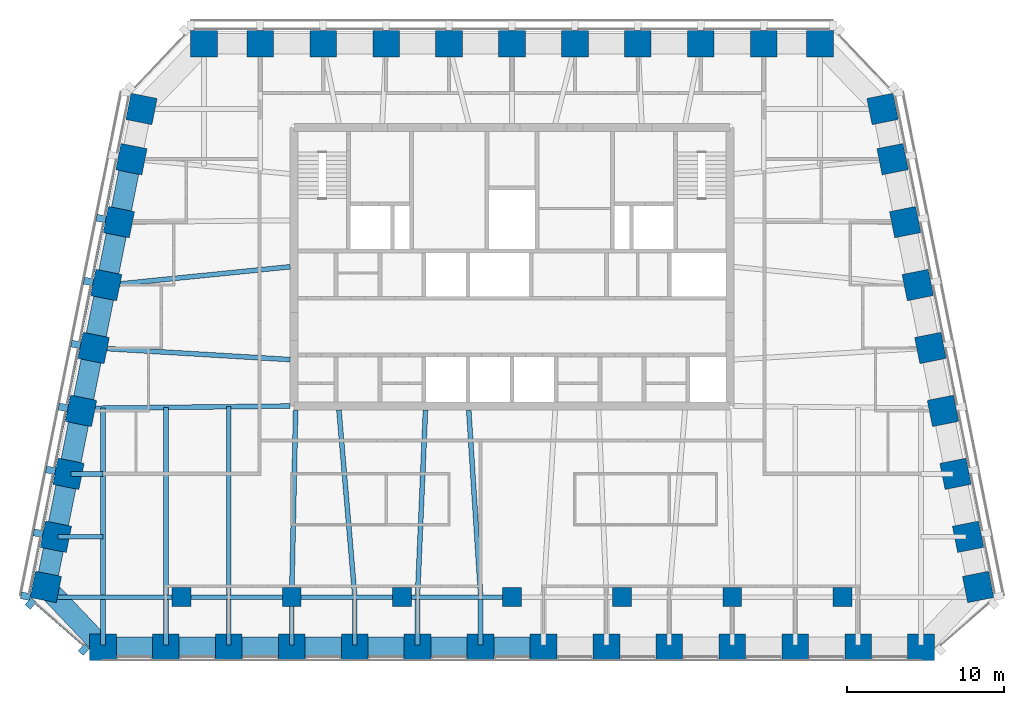
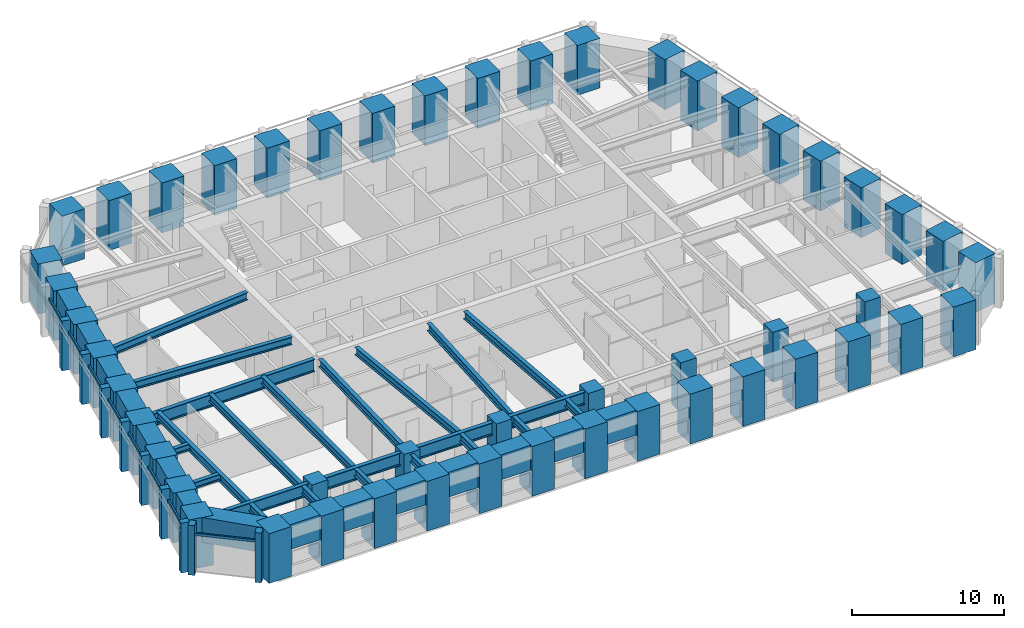
# One storey, part 1 of 11: 50 columns, 38 beams, 17 members, 2 elements without a shape of their own.
"""IFC4 building model written with IfcOpenShell, lengths in metres."""

from ifc_helpers import new_model, si_unit, direction, frame, origin, origin_2d, place, context, subcontext, project, spatial, rectangle, i_section, extrude, material, material_profile, profile_set, type_object, element, aggregate, save


model = new_model("IFC4")

# Units and contexts
model_context = context("Model", 3, precision=1e-05, world=origin(), true_north=direction((0.0, 1.0)))
body_context = subcontext(model_context, "Body", "Model", "MODEL_VIEW")
ifc_project = project(units=[si_unit("LENGTHUNIT", "METRE"), si_unit("AREAUNIT", "SQUARE_METRE"), si_unit("VOLUMEUNIT", "CUBIC_METRE"), si_unit("PLANEANGLEUNIT", "RADIAN"), si_unit("MASSUNIT", "GRAM", prefix="KILO")], contexts=[model_context])

# Site, building, storey
site_placement = place(None, origin())
site = spatial("IfcSite", under=ifc_project, at=site_placement, CompositionType="ELEMENT")
building_placement = place(site_placement, origin())
building = spatial("IfcBuilding", under=site, at=building_placement, Name="Isbrekke Arena Tower", CompositionType="ELEMENT")
storey_placement = place(building_placement, frame((0.0, 0.0, 276.0)))
storey = spatial("IfcBuildingStorey", under=building, at=storey_placement, Name="L64", CompositionType="ELEMENT", Elevation=276.0)

# Columns
ifc_material_1 = material(Name="Concrete B55 (C55/67)", Category="concrete")
ifc_material_profile_1 = material_profile(ifc_material_1, rectangle(XDim=1.199951171875, YDim=1.199951171875, at=origin_2d()), Name="RC 1200x1200")
ifc_profile_set_1 = profile_set([ifc_material_profile_1], Name="Concrete B55 (C55/67)")
column_type_1 = type_object("IfcColumnType", Name="C14 RC 1200 x 1200", PredefinedType="COLUMN", material=ifc_profile_set_1)
for number, where, z_axis, x_axis, name in (
    (1, (-21.0, -6.0, 0.0), (0.0, 0.0, 1.0), (1.0, 0.0, 0.0), "C14 I01"),
    (2, (-14.0, -6.0, 0.0), (0.0, 0.0, 1.0), (1.0, 0.0, 0.0), "C14 I02"),
    (3, (-7.0, -6.0, 0.0), (0.0, 0.0, 1.0), (1.0, 0.0, 0.0), "C14 I03"),
    (4, (0.0, -6.0, 0.0), (0.0, 0.0, 1.0), (1.0, 0.0, 0.0), "C14 I04"),
    (5, (7.0, -6.0, 0.0), (0.0, 0.0, 1.0), (1.0, 0.0, 0.0), "C14 I05"),
    (6, (14.0, -6.0, 0.0), (0.0, 0.0, 1.0), (1.0, 0.0, 0.0), "C14 I06"),
    (7, (21.0, -6.0, 0.0), (0.0, 0.0, 1.0), (1.0, 0.0, 0.0), "C14 I07"),
):
    element("IfcColumn", number, at=place(storey_placement, frame(where, z_axis=z_axis, x_axis=x_axis)), inside=storey, type_object=column_type_1, Name=name, PredefinedType="COLUMN", context=body_context, shape_type="SweptSolid", body=[
        extrude(rectangle(XDim=1.199951171875, YDim=1.199951171875, at=origin_2d()), origin(), (0.0, 0.0, 1.0), 4.0),
    ])
ifc_material_2 = material(Name="Concrete B55 (C55/67)", Category="concrete")
ifc_material_profile_2 = material_profile(ifc_material_2, rectangle(XDim=1.699951171875, YDim=1.699951171875, at=origin_2d()), Name="RC 1700x1700")
ifc_profile_set_2 = profile_set([ifc_material_profile_2], Name="Concrete B55 (C55/67)")
column_type_2 = type_object("IfcColumnType", Name="C5 RC 1700 x 1700", PredefinedType="COLUMN", material=ifc_profile_set_2)
for number, where, z_axis, x_axis, name in (
    (8, (-26.0, -9.175048828125, 0.0), (0.0, 0.0, 1.0), (1.0, 0.0, 0.0), "C5 S01"),
    (9, (-22.0, -9.175048828125, 0.0), (0.0, 0.0, 1.0), (1.0, 0.0, 0.0), "C5 S02"),
    (10, (-18.0, -9.175048828125, 0.0), (0.0, 0.0, 1.0), (1.0, 0.0, 0.0), "C5 S03"),
    (11, (-14.0, -9.175048828125, 0.0), (0.0, 0.0, 1.0), (1.0, 0.0, 0.0), "C5 S04"),
    (12, (-10.0, -9.175048828125, 0.0), (0.0, 0.0, 1.0), (1.0, 0.0, 0.0), "C5 S05"),
    (13, (-6.0, -9.175048828125, 0.0), (0.0, 0.0, 1.0), (1.0, 0.0, 0.0), "C5 S06"),
    (14, (-2.0, -9.175048828125, 0.0), (0.0, 0.0, 1.0), (1.0, 0.0, 0.0), "C5 S07"),
    (15, (2.0, -9.175048828125, 0.0), (0.0, 0.0, 1.0), (1.0, 0.0, 0.0), "C5 S08"),
    (16, (6.0, -9.175048828125, 0.0), (0.0, 0.0, 1.0), (1.0, 0.0, 0.0), "C5 S09"),
    (17, (10.0, -9.175048828125, 0.0), (0.0, 0.0, 1.0), (1.0, 0.0, 0.0), "C5 S10"),
    (18, (14.0, -9.175048828125, 0.0), (0.0, 0.0, 1.0), (1.0, 0.0, 0.0), "C5 S11"),
    (19, (18.0, -9.175048828125, 0.0), (0.0, 0.0, 1.0), (1.0, 0.0, 0.0), "C5 S12"),
    (20, (22.0, -9.175048828125, 0.0), (0.0, 0.0, 1.0), (1.0, 0.0, 0.0), "C5 S13"),
    (21, (26.0, -9.175048828125, 0.0), (0.0, 0.0, 1.0), (1.0, 0.0, 0.0), "C5 S14"),
    (22, (29.629150390625, -5.352783203125, 0.0), (0.0, 0.0, 1.0), (-0.196116135138, 0.980580675691, 0.0), "C5 E01"),
    (23, (28.990966796875, -2.161865234375, 0.0), (0.0, 0.0, 1.0), (-0.196116135138, 0.980580675691, 0.0), "C5 E02"),
    (24, (28.19091796875, 1.838134765625, 0.0), (0.0, 0.0, 1.0), (-0.196116135138, 0.980580675691, 0.0), "C5 E03"),
    (25, (27.39111328125, 5.838134765625, 0.0), (0.0, 0.0, 1.0), (-0.196116135138, 0.980580675691, 0.0), "C5 E04"),
    (26, (26.591064453125, 9.838134765625, 0.0), (0.0, 0.0, 1.0), (-0.196116135138, 0.980580675691, 0.0), "C5 E05"),
    (27, (25.791015625, 13.838134765625, 0.0), (0.0, 0.0, 1.0), (-0.196116135138, 0.980580675691, 0.0), "C5 E06"),
    (28, (24.990966796875, 17.838134765625, 0.0), (0.0, 0.0, 1.0), (-0.196116135138, 0.980580675691, 0.0), "C5 E07"),
    (29, (24.19091796875, 21.838134765625, 0.0), (0.0, 0.0, 1.0), (-0.196116135138, 0.980580675691, 0.0), "C5 E08"),
    (30, (23.552734375, 25.029296875, 0.0), (0.0, 0.0, 1.0), (-0.196116135138, 0.980580675691, 0.0), "C5 E09"),
    (31, (19.574951171875, 29.175048828125, 0.0), (0.0, 0.0, 1.0), (-1.0, 0.0, 0.0), "C5 N01"),
    (32, (16.0, 29.175048828125, 0.0), (0.0, 0.0, 1.0), (-1.0, 0.0, 0.0), "C5 N02"),
    (33, (12.0, 29.175048828125, 0.0), (0.0, 0.0, 1.0), (-1.0, 0.0, 0.0), "C5 N03"),
    (34, (8.0, 29.175048828125, 0.0), (0.0, 0.0, 1.0), (-1.0, 0.0, 0.0), "C5 N04"),
    (35, (4.0, 29.175048828125, 0.0), (0.0, 0.0, 1.0), (-1.0, 0.0, 0.0), "C5 N05"),
    (36, (0.0, 29.175048828125, 0.0), (0.0, 0.0, 1.0), (-1.0, 0.0, 0.0), "C5 N06"),
    (37, (-4.0, 29.175048828125, 0.0), (0.0, 0.0, 1.0), (-1.0, 0.0, 0.0), "C5 N07"),
    (38, (-8.0, 29.175048828125, 0.0), (0.0, 0.0, 1.0), (-1.0, 0.0, 0.0), "C5 N08"),
    (39, (-12.0, 29.175048828125, 0.0), (0.0, 0.0, 1.0), (-1.0, 0.0, 0.0), "C5 N09"),
    (40, (-16.0, 29.175048828125, 0.0), (0.0, 0.0, 1.0), (-1.0, 0.0, 0.0), "C5 N10"),
    (41, (-19.574951171875, 29.175048828125, 0.0), (0.0, 0.0, 1.0), (-1.0, 0.0, 0.0), "C5 N11"),
    (42, (-23.552734375, 25.029296875, 0.0), (0.0, 0.0, 1.0), (-0.196116135138, -0.980580675691, 0.0), "C5 W01"),
    (43, (-24.19091796875, 21.838134765625, 0.0), (0.0, 0.0, 1.0), (-0.196116135138, -0.980580675691, 0.0), "C5 W02"),
    (44, (-24.990966796875, 17.838134765625, 0.0), (0.0, 0.0, 1.0), (-0.196116135138, -0.980580675691, 0.0), "C5 W03"),
    (45, (-25.791015625, 13.838134765625, 0.0), (0.0, 0.0, 1.0), (-0.196116135138, -0.980580675691, 0.0), "C5 W04"),
    (46, (-26.591064453125, 9.838134765625, 0.0), (0.0, 0.0, 1.0), (-0.196116135138, -0.980580675691, 0.0), "C5 W05"),
    (47, (-27.39111328125, 5.838134765625, 0.0), (0.0, 0.0, 1.0), (-0.196116135138, -0.980580675691, 0.0), "C5 W06"),
    (48, (-28.19091796875, 1.838134765625, 0.0), (0.0, 0.0, 1.0), (-0.196116135138, -0.980580675691, 0.0), "C5 W07"),
    (49, (-28.990966796875, -2.161865234375, 0.0), (0.0, 0.0, 1.0), (-0.196116135138, -0.980580675691, 0.0), "C5 W08"),
    (50, (-29.629150390625, -5.352783203125, 0.0), (0.0, 0.0, 1.0), (-0.196116135138, -0.980580675691, 0.0), "C5 W09"),
):
    element("IfcColumn", number, at=place(storey_placement, frame(where, z_axis=z_axis, x_axis=x_axis)), inside=storey, type_object=column_type_2, Name=name, PredefinedType="COLUMN", context=body_context, shape_type="SweptSolid", body=[
        extrude(rectangle(XDim=1.699951171875, YDim=1.699951171875, at=origin_2d()), origin(), (0.0, 0.0, 1.0), 4.0),
    ])

# Beams
ifc_material_3 = material(Name="Steel S355", Category="steel")
ifc_material_profile_3 = material_profile(ifc_material_3, i_section(OverallWidth=0.304931640625, OverallDepth=0.6201171875, WebThickness=0.02099609375, FlangeThickness=0.0400390625, FilletRadius=0.027099609375, at=origin_2d()), Name="HEM 600")
ifc_profile_set_3 = profile_set([ifc_material_profile_3], Name="Steel S355")
beam_type_1 = type_object("IfcBeamType", Name="B4 HEM 600", PredefinedType="BEAM", material=ifc_profile_set_3)
for number, where, z_axis, x_axis, name in (
    (51, (-26.0, -9.02490234375, 3.5400390625), (0.0, 1.0, 0.0), (-1.0, 0.0, 0.0), "B4 beam S-S01 L64"),
    (52, (-22.0, -9.02490234375, 3.5400390625), (0.0, 1.0, 0.0), (-1.0, 0.0, 0.0), "B4 beam S-S02 L64"),
    (53, (-18.0, -9.02490234375, 3.5400390625), (0.0, 1.0, 0.0), (-1.0, 0.0, 0.0), "B4 beam S-S03 L64"),
):
    element("IfcBeam", number, at=place(storey_placement, frame(where, z_axis=z_axis, x_axis=x_axis)), inside=storey, type_object=beam_type_1, Name=name, PredefinedType="BEAM", context=body_context, shape_type="SweptSolid", body=[
        extrude(i_section(OverallWidth=0.304931640625, OverallDepth=0.6201171875, WebThickness=0.02099609375, FlangeThickness=0.0400390625, FilletRadius=0.027099609375, at=origin_2d()), origin(), (0.0, 0.0, 1.0), 2.8740234375),
    ])
beam_1_placement = place(storey_placement, frame((-14.0, -9.02490234375, 3.5400390625), z_axis=(0.0, 1.0, 0.0), x_axis=(-1.0, 0.0, 0.0)))
element("IfcBeam", 54, at=beam_1_placement, inside=storey, type_object=beam_type_1, Name="B4 beam S-S04 L64", PredefinedType="BEAM", context=body_context, shape_type="SweptSolid", body=[
    extrude(i_section(OverallWidth=0.304931640625, OverallDepth=0.6201171875, WebThickness=0.02099609375, FlangeThickness=0.0400390625, FilletRadius=0.027099609375, at=origin_2d()), origin(), (0.0, 0.0, 1.0), 2.875),
])
for number, where, z_axis, x_axis, name in (
    (55, (-10.0, -9.02490234375, 3.5400390625), (0.0, 1.0, 0.0), (-1.0, 0.0, 0.0), "B4 beam S-S05 L64"),
    (56, (-6.0, -9.02490234375, 3.5400390625), (0.0, 1.0, 0.0), (-1.0, 0.0, 0.0), "B4 beam S-S06 L64"),
    (57, (-2.0, -9.02490234375, 3.5400390625), (0.0, 1.0, 0.0), (-1.0, 0.0, 0.0), "B4 beam S-S07 L64"),
):
    element("IfcBeam", number, at=place(storey_placement, frame(where, z_axis=z_axis, x_axis=x_axis)), inside=storey, type_object=beam_type_1, Name=name, PredefinedType="BEAM", context=body_context, shape_type="SweptSolid", body=[
        extrude(i_section(OverallWidth=0.304931640625, OverallDepth=0.6201171875, WebThickness=0.02099609375, FlangeThickness=0.0400390625, FilletRadius=0.027099609375, at=origin_2d()), origin(), (0.0, 0.0, 1.0), 2.8740234375),
    ])
beam_2_placement = place(storey_placement, frame((-26.0, -5.84912109375, 3.5400390625), z_axis=(0.0, 1.0, 0.0), x_axis=(-1.0, 0.0, 0.0)))
element("IfcBeam", 58, at=beam_2_placement, inside=storey, type_object=beam_type_1, Name="B4 beam C-M01 L64", PredefinedType="BEAM", context=body_context, shape_type="SweptSolid", body=[
    extrude(i_section(OverallWidth=0.304931640625, OverallDepth=0.6201171875, WebThickness=0.02099609375, FlangeThickness=0.0400390625, FilletRadius=0.027099609375, at=origin_2d()), origin(), (0.0, 0.0, 1.0), 11.86474609375),
])
beam_3_placement = place(storey_placement, frame((-22.0, -5.84912109375, 3.5400390625), z_axis=(0.0, 1.0, 0.0), x_axis=(-1.0, 0.0, 0.0)))
element("IfcBeam", 59, at=beam_3_placement, inside=storey, type_object=beam_type_1, Name="B4 beam C-M02 L64", PredefinedType="BEAM", context=body_context, shape_type="SweptSolid", body=[
    extrude(i_section(OverallWidth=0.304931640625, OverallDepth=0.6201171875, WebThickness=0.02099609375, FlangeThickness=0.0400390625, FilletRadius=0.027099609375, at=origin_2d()), origin(), (0.0, 0.0, 1.0), 11.909912109375),
])
beam_4_placement = place(storey_placement, frame((-18.0, -5.84912109375, 3.5400390625), z_axis=(0.0, 1.0, 0.0), x_axis=(-1.0, 0.0, 0.0)))
element("IfcBeam", 60, at=beam_4_placement, inside=storey, type_object=beam_type_1, Name="B4 beam C-M03 L64", PredefinedType="BEAM", context=body_context, shape_type="SweptSolid", body=[
    extrude(i_section(OverallWidth=0.304931640625, OverallDepth=0.6201171875, WebThickness=0.02099609375, FlangeThickness=0.0400390625, FilletRadius=0.027099609375, at=origin_2d()), origin(), (0.0, 0.0, 1.0), 11.955078125),
])
beam_5_placement = place(storey_placement, frame((-14.0, -5.8466796875, 3.5400390625), z_axis=(0.021277968258, 0.999773598405, 0.0), x_axis=(-0.999773598405, 0.021277968258, 0.0)))
element("IfcBeam", 61, at=beam_5_placement, inside=storey, type_object=beam_type_1, Name="B4 beam C-M04 L64", PredefinedType="BEAM", context=body_context, shape_type="SweptSolid", body=[
    extrude(i_section(OverallWidth=0.304931640625, OverallDepth=0.6201171875, WebThickness=0.02099609375, FlangeThickness=0.0400390625, FilletRadius=0.027099609375, at=origin_2d()), origin(), (0.0, 0.0, 1.0), 11.749267578125),
])
beam_6_placement = place(storey_placement, frame((-10.0009765625, -5.836181640625, 3.5400390625), z_axis=(-0.084817344046, 0.996396516528, 0.0), x_axis=(-0.996396516528, -0.084817344046, 0.0)))
element("IfcBeam", 62, at=beam_6_placement, inside=storey, type_object=beam_type_1, Name="B4 beam C-M05 L64", PredefinedType="BEAM", context=body_context, shape_type="SweptSolid", body=[
    extrude(i_section(OverallWidth=0.304931640625, OverallDepth=0.6201171875, WebThickness=0.02099609375, FlangeThickness=0.0400390625, FilletRadius=0.027099609375, at=origin_2d()), origin(), (0.0, 0.0, 1.0), 11.778564453125),
])
beam_7_placement = place(storey_placement, frame((-5.999755859375, -5.842529296875, 3.5400390625), z_axis=(0.042521334166, 0.999095559064, 0.0), x_axis=(-0.999095559064, 0.042521334166, 0.0)))
element("IfcBeam", 63, at=beam_7_placement, inside=storey, type_object=beam_type_1, Name="B4 beam C-M06 L64", PredefinedType="BEAM", context=body_context, shape_type="SweptSolid", body=[
    extrude(i_section(OverallWidth=0.304931640625, OverallDepth=0.6201171875, WebThickness=0.02099609375, FlangeThickness=0.0400390625, FilletRadius=0.027099609375, at=origin_2d()), origin(), (0.0, 0.0, 1.0), 11.753173828125),
])
beam_8_placement = place(storey_placement, frame((-2.000732421875, -5.83935546875, 3.5400390625), z_axis=(-0.063696196046, 0.997969335506, 0.0), x_axis=(-0.997969335506, -0.063696196046, 0.0)))
element("IfcBeam", 64, at=beam_8_placement, inside=storey, type_object=beam_type_1, Name="B4 beam C-M07 L64", PredefinedType="BEAM", context=body_context, shape_type="SweptSolid", body=[
    extrude(i_section(OverallWidth=0.304931640625, OverallDepth=0.6201171875, WebThickness=0.02099609375, FlangeThickness=0.0400390625, FilletRadius=0.027099609375, at=origin_2d()), origin(), (0.0, 0.0, 1.0), 11.76318359375),
])
beam_9_placement = place(storey_placement, frame((-25.625732421875, 13.83984375, 3.5400390625), z_axis=(0.994972081505, 0.100152668587, 0.0), x_axis=(-0.100152668587, 0.994972081505, 0.0)))
element("IfcBeam", 65, at=beam_9_placement, inside=storey, type_object=beam_type_1, Name="B4 beam E-W04 L64", PredefinedType="BEAM", context=body_context, shape_type="SweptSolid", body=[
    extrude(i_section(OverallWidth=0.304931640625, OverallDepth=0.6201171875, WebThickness=0.02099609375, FlangeThickness=0.0400390625, FilletRadius=0.027099609375, at=origin_2d()), origin(), (0.0, 0.0, 1.0), 11.583984375),
])
beam_10_placement = place(storey_placement, frame((-26.431884765625, 9.837646484375, 3.5400390625), z_axis=(0.998216240514, -0.059702070095, 0.0), x_axis=(0.059702070095, 0.998216240514, 0.0)))
element("IfcBeam", 66, at=beam_10_placement, inside=storey, type_object=beam_type_1, Name="B4 beam E-W05 L64", PredefinedType="BEAM", context=body_context, shape_type="SweptSolid", body=[
    extrude(i_section(OverallWidth=0.304931640625, OverallDepth=0.6201171875, WebThickness=0.02099609375, FlangeThickness=0.0400390625, FilletRadius=0.027099609375, at=origin_2d()), origin(), (0.0, 0.0, 1.0), 12.353759765625),
])
ifc_material_4 = material(Name="Steel S355", Category="steel")
ifc_material_profile_4 = material_profile(ifc_material_4, i_section(OverallWidth=0.305908203125, OverallDepth=0.52392578125, WebThickness=0.02099609375, FlangeThickness=0.0400390625, FilletRadius=0.027099609375, at=origin_2d()), Name="HEM 500")
ifc_profile_set_4 = profile_set([ifc_material_profile_4], Name="Steel S355")
beam_type_2 = type_object("IfcBeamType", Name="B5 HEM 500", PredefinedType="BEAM", material=ifc_profile_set_4)
beam_11_placement = place(storey_placement, frame((-28.041015625, 1.838134765625, 3.587890625), z_axis=(1.0, 0.0, 0.0), x_axis=(0.0, 1.0, 0.0)))
element("IfcBeam", 67, at=beam_11_placement, inside=storey, type_object=beam_type_2, Name="B5 beam E-W07 L64", PredefinedType="BEAM", context=body_context, shape_type="SweptSolid", body=[
    extrude(i_section(OverallWidth=0.305908203125, OverallDepth=0.52392578125, WebThickness=0.02099609375, FlangeThickness=0.0400390625, FilletRadius=0.027099609375, at=origin_2d()), origin(), (0.0, 0.0, 1.0), 2.041015625),
])
beam_12_placement = place(storey_placement, frame((-28.841064453125, -2.161865234375, 3.587890625), z_axis=(1.0, 0.0, 0.0), x_axis=(0.0, 1.0, 0.0)))
element("IfcBeam", 68, at=beam_12_placement, inside=storey, type_object=beam_type_2, Name="B5 beam E-W08 L64", PredefinedType="BEAM", context=body_context, shape_type="SweptSolid", body=[
    extrude(i_section(OverallWidth=0.305908203125, OverallDepth=0.52392578125, WebThickness=0.02099609375, FlangeThickness=0.0400390625, FilletRadius=0.027099609375, at=origin_2d()), origin(), (0.0, 0.0, 1.0), 2.841064453125),
])

# Curtain wall, members
ifc_material_5 = material(Name="Glazed aluminium curtain wall", Category="aluminium")
curtain_wall_type = type_object("IfcCurtainWallType", Name="CWT TOWER CURTAIN WALL TOP ZONE", PredefinedType="USERDEFINED", material=ifc_material_5)
curtain_wall_1_placement = place(storey_placement, origin())
curtain_wall_1 = element("IfcCurtainWall", 69, at=curtain_wall_1_placement, inside=storey, type_object=curtain_wall_type, Name="CWT curtain wall L64-W", ObjectType="TOWER CURTAIN WALL TOP ZONE", PredefinedType="USERDEFINED")
ifc_material_6 = material(Name="Copper-clad aluminium mullion", Category="aluminium")
ifc_material_profile_5 = material_profile(ifc_material_6, rectangle(XDim=0.449951171875, YDim=0.60009765625, at=origin_2d()), Name="PIER 450X600")
ifc_profile_set_5 = profile_set([ifc_material_profile_5], Name="Copper-clad aluminium mullion")
member_type_1 = type_object("IfcMemberType", Name="CWT-M PIER MULLION 450 x 600", PredefinedType="MULLION", material=ifc_profile_set_5)
member_1_placement = place(storey_placement, frame((-26.11865234375, 18.063720703125, 0.0), z_axis=(0.0, 0.0, 1.0), x_axis=(-0.196116135138, -0.980580675691, 0.0)))
member_1 = element("IfcMember", 70, at=member_1_placement, type_object=member_type_1, Name="CWT-M mullion 3", PredefinedType="MULLION", context=body_context, shape_type="SweptSolid", body=[
    extrude(rectangle(XDim=0.449951171875, YDim=0.60009765625, at=origin_2d()), origin(), (0.0, 0.0, 1.0), 4.0),
])
member_2_placement = place(storey_placement, frame((-26.918701171875, 14.063720703125, 0.0), z_axis=(0.0, 0.0, 1.0), x_axis=(-0.196116135138, -0.980580675691, 0.0)))
member_2 = element("IfcMember", 71, at=member_2_placement, type_object=member_type_1, Name="CWT-M mullion 4", PredefinedType="MULLION", context=body_context, shape_type="SweptSolid", body=[
    extrude(rectangle(XDim=0.449951171875, YDim=0.60009765625, at=origin_2d()), origin(), (0.0, 0.0, 1.0), 4.0),
])
member_3_placement = place(storey_placement, frame((-27.71875, 10.063720703125, 0.0), z_axis=(0.0, 0.0, 1.0), x_axis=(-0.196116135138, -0.980580675691, 0.0)))
member_3 = element("IfcMember", 72, at=member_3_placement, type_object=member_type_1, Name="CWT-M mullion 5", PredefinedType="MULLION", context=body_context, shape_type="SweptSolid", body=[
    extrude(rectangle(XDim=0.449951171875, YDim=0.60009765625, at=origin_2d()), origin(), (0.0, 0.0, 1.0), 4.0),
])
member_4_placement = place(storey_placement, frame((-28.518798828125, 6.063720703125, 0.0), z_axis=(0.0, 0.0, 1.0), x_axis=(-0.196116135138, -0.980580675691, 0.0)))
member_4 = element("IfcMember", 73, at=member_4_placement, type_object=member_type_1, Name="CWT-M mullion 6", PredefinedType="MULLION", context=body_context, shape_type="SweptSolid", body=[
    extrude(rectangle(XDim=0.449951171875, YDim=0.60009765625, at=origin_2d()), origin(), (0.0, 0.0, 1.0), 4.0),
])
member_5_placement = place(storey_placement, frame((-29.318603515625, 2.063720703125, 0.0), z_axis=(0.0, 0.0, 1.0), x_axis=(-0.196116135138, -0.980580675691, 0.0)))
member_5 = element("IfcMember", 74, at=member_5_placement, type_object=member_type_1, Name="CWT-M mullion 7", PredefinedType="MULLION", context=body_context, shape_type="SweptSolid", body=[
    extrude(rectangle(XDim=0.449951171875, YDim=0.60009765625, at=origin_2d()), origin(), (0.0, 0.0, 1.0), 4.0),
])
member_6_placement = place(storey_placement, frame((-30.11865234375, -1.936279296875, 0.0), z_axis=(0.0, 0.0, 1.0), x_axis=(-0.196116135138, -0.980580675691, 0.0)))
member_6 = element("IfcMember", 75, at=member_6_placement, type_object=member_type_1, Name="CWT-M mullion 8", PredefinedType="MULLION", context=body_context, shape_type="SweptSolid", body=[
    extrude(rectangle(XDim=0.449951171875, YDim=0.60009765625, at=origin_2d()), origin(), (0.0, 0.0, 1.0), 4.0),
])
member_7_placement = place(storey_placement, frame((-30.918701171875, -5.936279296875, 0.0), z_axis=(0.0, 0.0, 1.0), x_axis=(-0.196116135138, -0.980580675691, 0.0)))
member_7 = element("IfcMember", 76, at=member_7_placement, type_object=member_type_1, Name="CWT-M mullion 9", PredefinedType="MULLION", context=body_context, shape_type="SweptSolid", body=[
    extrude(rectangle(XDim=0.449951171875, YDim=0.60009765625, at=origin_2d()), origin(), (0.0, 0.0, 1.0), 4.0),
])

curtain_wall_2_placement = place(storey_placement, origin())
curtain_wall_2 = element("IfcCurtainWall", 77, at=curtain_wall_2_placement, inside=storey, type_object=curtain_wall_type, Name="CWT curtain wall L64-WS", ObjectType="TOWER CURTAIN WALL TOP ZONE", PredefinedType="USERDEFINED")
member_8_placement = place(storey_placement, frame((-30.59228515625, -6.404052734375, 0.0), z_axis=(0.0, 0.0, 1.0), x_axis=(0.754605522159, -0.65617871493, 0.0)))
member_8 = element("IfcMember", 78, at=member_8_placement, type_object=member_type_1, Name="CWT-M mullion 1", PredefinedType="MULLION", context=body_context, shape_type="SweptSolid", body=[
    extrude(rectangle(XDim=0.449951171875, YDim=0.60009765625, at=origin_2d()), origin(), (0.0, 0.0, 1.0), 4.0),
])
member_9_placement = place(storey_placement, frame((-27.21435546875, -9.341552734375, 0.0), z_axis=(0.0, 0.0, 1.0), x_axis=(0.754605522159, -0.65617871493, 0.0)))
member_9 = element("IfcMember", 79, at=member_9_placement, type_object=member_type_1, Name="CWT-M mullion 2", PredefinedType="MULLION", context=body_context, shape_type="SweptSolid", body=[
    extrude(rectangle(XDim=0.449951171875, YDim=0.60009765625, at=origin_2d()), origin(), (0.0, 0.0, 1.0), 4.0),
])

# Member
ifc_material_7 = material(Name="Aluminium transom", Category="aluminium")
ifc_material_profile_6 = material_profile(ifc_material_7, rectangle(XDim=0.1201171875, YDim=0.199951171875, at=origin_2d()), Name="TRANSOM 120X200")
ifc_profile_set_6 = profile_set([ifc_material_profile_6], Name="Aluminium transom")
member_type_2 = type_object("IfcMemberType", Name="CWT-T TRANSOM 120 x 200", PredefinedType="USERDEFINED", material=ifc_profile_set_6)
member_10_placement = place(storey_placement, frame((-25.166748046875, 21.803955078125, 3.0), z_axis=(-0.196090262229, -0.980585849918, 0.0), x_axis=(0.980585849918, -0.196090262229, 0.0)))
member_10 = element("IfcMember", 80, at=member_10_placement, type_object=member_type_2, Name="CWT-T transom 2", ObjectType="TRANSOM", PredefinedType="USERDEFINED", context=body_context, shape_type="SweptSolid", body=[
    extrude(rectangle(XDim=0.1201171875, YDim=0.199951171875, at=origin_2d()), origin(), (0.0, 0.0, 1.0), 3.62939453125),
])

member_11_placement = place(storey_placement, frame((-25.966796875, 17.803955078125, 3.0), z_axis=(-0.196090262229, -0.980585849918, 0.0), x_axis=(0.980585849918, -0.196090262229, 0.0)))
member_11 = element("IfcMember", 81, at=member_11_placement, type_object=member_type_2, Name="CWT-T transom 3", ObjectType="TRANSOM", PredefinedType="USERDEFINED", context=body_context, shape_type="SweptSolid", body=[
    extrude(rectangle(XDim=0.1201171875, YDim=0.199951171875, at=origin_2d()), origin(), (0.0, 0.0, 1.0), 3.62939453125),
])

member_12_placement = place(storey_placement, frame((-26.7666015625, 13.803955078125, 3.0), z_axis=(-0.196154943734, -0.980572913173, 0.0), x_axis=(0.980572913173, -0.196154943734, 0.0)))
member_12 = element("IfcMember", 82, at=member_12_placement, type_object=member_type_2, Name="CWT-T transom 4", ObjectType="TRANSOM", PredefinedType="USERDEFINED", context=body_context, shape_type="SweptSolid", body=[
    extrude(rectangle(XDim=0.1201171875, YDim=0.199951171875, at=origin_2d()), origin(), (0.0, 0.0, 1.0), 3.62939453125),
])

member_13_placement = place(storey_placement, frame((-27.566650390625, 9.803955078125, 3.0), z_axis=(-0.196154943734, -0.980572913173, 0.0), x_axis=(0.980572913173, -0.196154943734, 0.0)))
member_13 = element("IfcMember", 83, at=member_13_placement, type_object=member_type_2, Name="CWT-T transom 5", ObjectType="TRANSOM", PredefinedType="USERDEFINED", context=body_context, shape_type="SweptSolid", body=[
    extrude(rectangle(XDim=0.1201171875, YDim=0.199951171875, at=origin_2d()), origin(), (0.0, 0.0, 1.0), 3.62939453125),
])

member_14_placement = place(storey_placement, frame((-28.36669921875, 5.803955078125, 3.0), z_axis=(-0.196090262229, -0.980585849918, 0.0), x_axis=(0.980585849918, -0.196090262229, 0.0)))
member_14 = element("IfcMember", 84, at=member_14_placement, type_object=member_type_2, Name="CWT-T transom 6", ObjectType="TRANSOM", PredefinedType="USERDEFINED", context=body_context, shape_type="SweptSolid", body=[
    extrude(rectangle(XDim=0.1201171875, YDim=0.199951171875, at=origin_2d()), origin(), (0.0, 0.0, 1.0), 3.62939453125),
])

member_15_placement = place(storey_placement, frame((-29.166748046875, 1.803955078125, 3.0), z_axis=(-0.196090262229, -0.980585849918, 0.0), x_axis=(0.980585849918, -0.196090262229, 0.0)))
member_15 = element("IfcMember", 85, at=member_15_placement, type_object=member_type_2, Name="CWT-T transom 7", ObjectType="TRANSOM", PredefinedType="USERDEFINED", context=body_context, shape_type="SweptSolid", body=[
    extrude(rectangle(XDim=0.1201171875, YDim=0.199951171875, at=origin_2d()), origin(), (0.0, 0.0, 1.0), 3.62939453125),
])

member_16_placement = place(storey_placement, frame((-29.966796875, -2.196044921875, 3.0), z_axis=(-0.196090262229, -0.980585849918, 0.0), x_axis=(0.980585849918, -0.196090262229, 0.0)))
member_16 = element("IfcMember", 86, at=member_16_placement, type_object=member_type_2, Name="CWT-T transom 8", ObjectType="TRANSOM", PredefinedType="USERDEFINED", context=body_context, shape_type="SweptSolid", body=[
    extrude(rectangle(XDim=0.1201171875, YDim=0.199951171875, at=origin_2d()), origin(), (0.0, 0.0, 1.0), 3.62939453125),
])

aggregate(curtain_wall_1, [member_1, member_2, member_3, member_4, member_5, member_6, member_7, member_10, member_11, member_12, member_13, member_14, member_15, member_16])

member_17_placement = place(storey_placement, frame((-30.29150390625, -6.40087890625, 3.0), z_axis=(0.754623796266, -0.656157699116, 0.0), x_axis=(0.656157699116, 0.754623796266, 0.0)))
member_17 = element("IfcMember", 87, at=member_17_placement, type_object=member_type_2, Name="CWT-T transom 1", ObjectType="TRANSOM", PredefinedType="USERDEFINED", context=body_context, shape_type="SweptSolid", body=[
    extrude(rectangle(XDim=0.1201171875, YDim=0.199951171875, at=origin_2d()), origin(), (0.0, 0.0, 1.0), 4.026611328125),
])

aggregate(curtain_wall_2, [member_8, member_9, member_17])

# Beams
ifc_material_8 = material(Name="Steel S355", Category="steel")
ifc_material_profile_7 = material_profile(ifc_material_8, i_section(OverallWidth=0.302001953125, OverallDepth=1.008056640625, WebThickness=0.02099609375, FlangeThickness=0.0400390625, FilletRadius=0.030029296875, at=origin_2d()), Name="HEM 1000")
ifc_profile_set_7 = profile_set([ifc_material_profile_7], Name="Steel S355")
beam_type_3 = type_object("IfcBeamType", Name="G1 HEM 1000", PredefinedType="BEAM", material=ifc_profile_set_7)
beam_13_placement = place(storey_placement, frame((-29.629150390625, -6.0, 3.345947265625), z_axis=(1.0, 0.0, 0.0), x_axis=(0.0, 1.0, 0.0)))
element("IfcBeam", 88, at=beam_13_placement, inside=storey, type_object=beam_type_3, Name="G1 beam G1-01 L64", PredefinedType="BEAM", context=body_context, shape_type="SweptSolid", body=[
    extrude(i_section(OverallWidth=0.302001953125, OverallDepth=1.008056640625, WebThickness=0.02099609375, FlangeThickness=0.0400390625, FilletRadius=0.030029296875, at=origin_2d()), origin(), (0.0, 0.0, 1.0), 8.479248046875),
])
for number, where, z_axis, x_axis, name in (
    (89, (-20.85009765625, -6.0, 3.345947265625), (1.0, 0.0, 0.0), (0.0, 1.0, 0.0), "G1 beam G1-02 L64"),
    (90, (-13.85009765625, -6.0, 3.345947265625), (1.0, 0.0, 0.0), (0.0, 1.0, 0.0), "G1 beam G1-03 L64"),
    (91, (-6.85009765625, -6.0, 3.345947265625), (1.0, 0.0, 0.0), (0.0, 1.0, 0.0), "G1 beam G1-04 L64"),
):
    element("IfcBeam", number, at=place(storey_placement, frame(where, z_axis=z_axis, x_axis=x_axis)), inside=storey, type_object=beam_type_3, Name=name, PredefinedType="BEAM", context=body_context, shape_type="SweptSolid", body=[
        extrude(i_section(OverallWidth=0.302001953125, OverallDepth=1.008056640625, WebThickness=0.02099609375, FlangeThickness=0.0400390625, FilletRadius=0.030029296875, at=origin_2d()), origin(), (0.0, 0.0, 1.0), 6.7001953125),
    ])
ifc_material_9 = material(Name="Steel S355", Category="steel")
ifc_material_profile_8 = material_profile(ifc_material_9, i_section(OverallWidth=0.302001953125, OverallDepth=1.008056640625, WebThickness=0.02099609375, FlangeThickness=0.0400390625, FilletRadius=0.030029296875, at=origin_2d()), Name="HEM 1000")
ifc_profile_set_8 = profile_set([ifc_material_profile_8], Name="Steel S355")
beam_type_4 = type_object("IfcBeamType", Name="G2 HEM 1000", PredefinedType="BEAM", material=ifc_profile_set_8)
beam_14_placement = place(storey_placement, frame((-14.10009765625, 6.14990234375, 3.345947265625), z_axis=(-0.999936387749, -0.011279204565, 0.0), x_axis=(0.011279204565, -0.999936387749, 0.0)))
element("IfcBeam", 92, at=beam_14_placement, inside=storey, type_object=beam_type_4, Name="G2 beam G2-W L64", PredefinedType="BEAM", context=body_context, shape_type="SweptSolid", body=[
    extrude(i_section(OverallWidth=0.302001953125, OverallDepth=1.008056640625, WebThickness=0.02099609375, FlangeThickness=0.0400390625, FilletRadius=0.030029296875, at=origin_2d()), origin(), (0.0, 0.0, 1.0), 13.2900390625),
])
ifc_material_10 = material(Name="Concrete B55 (C55/67)", Category="concrete")
ifc_material_profile_9 = material_profile(ifc_material_10, rectangle(XDim=1.300048828125, YDim=2.0, at=origin_2d()), Name="RC 1300x2000")
ifc_profile_set_9 = profile_set([ifc_material_profile_9], Name="Concrete B55 (C55/67)")
beam_type_5 = type_object("IfcBeamType", Name="SB4 RC 1300 x 2000", PredefinedType="SPANDREL", material=ifc_profile_set_9)
for number, where, z_axis, x_axis, name in (
    (93, (-25.85009765625, -9.175048828125, 3.0), (1.0, 0.0, 0.0), (0.0, 1.0, 0.0), "SB4 spandrel S01-S02 L64"),
    (94, (-21.85009765625, -9.175048828125, 3.0), (1.0, 0.0, 0.0), (0.0, 1.0, 0.0), "SB4 spandrel S02-S03 L64"),
    (95, (-17.85009765625, -9.175048828125, 3.0), (1.0, 0.0, 0.0), (0.0, 1.0, 0.0), "SB4 spandrel S03-S04 L64"),
    (96, (-13.85009765625, -9.175048828125, 3.0), (1.0, 0.0, 0.0), (0.0, 1.0, 0.0), "SB4 spandrel S04-S05 L64"),
    (97, (-9.85009765625, -9.175048828125, 3.0), (1.0, 0.0, 0.0), (0.0, 1.0, 0.0), "SB4 spandrel S05-S06 L64"),
    (98, (-5.85009765625, -9.175048828125, 3.0), (1.0, 0.0, 0.0), (0.0, 1.0, 0.0), "SB4 spandrel S06-S07 L64"),
    (99, (-1.85009765625, -9.175048828125, 3.0), (1.0, 0.0, 0.0), (0.0, 1.0, 0.0), "SB4 spandrel S07-S08 L64"),
):
    element("IfcBeam", number, at=place(storey_placement, frame(where, z_axis=z_axis, x_axis=x_axis)), inside=storey, type_object=beam_type_5, Name=name, PredefinedType="SPANDREL", context=body_context, shape_type="SweptSolid", body=[
        extrude(rectangle(XDim=1.300048828125, YDim=2.0, at=origin_2d()), origin(), (0.0, 0.0, 1.0), 3.7001953125),
    ])
for number, where, z_axis, x_axis, name in (
    (100, (-24.220458984375, 21.691162109375, 3.0), (-0.196128558387, -0.980578190959, 0.0), (0.980578190959, -0.196128558387, 0.0), "SB4 spandrel W02-W03 L64"),
    (101, (-25.0205078125, 17.691162109375, 3.0), (-0.196128558387, -0.980578190959, 0.0), (0.980578190959, -0.196128558387, 0.0), "SB4 spandrel W03-W04 L64"),
):
    element("IfcBeam", number, at=place(storey_placement, frame(where, z_axis=z_axis, x_axis=x_axis)), inside=storey, type_object=beam_type_5, Name=name, PredefinedType="SPANDREL", context=body_context, shape_type="SweptSolid", body=[
        extrude(rectangle(XDim=1.300048828125, YDim=2.0, at=origin_2d()), origin(), (0.0, 0.0, 1.0), 3.779296875),
    ])
beam_15_placement = place(storey_placement, frame((-25.820556640625, 13.691162109375, 3.0), z_axis=(-0.1960664412, -0.980590613169, 0.0), x_axis=(0.980590613169, -0.1960664412, 0.0)))
element("IfcBeam", 102, at=beam_15_placement, inside=storey, type_object=beam_type_5, Name="SB4 spandrel W04-W05 L64", PredefinedType="SPANDREL", context=body_context, shape_type="SweptSolid", body=[
    extrude(rectangle(XDim=1.300048828125, YDim=2.0, at=origin_2d()), origin(), (0.0, 0.0, 1.0), 3.779052734375),
])
for number, where, z_axis, x_axis, name in (
    (103, (-26.620361328125, 9.691162109375, 3.0), (-0.196128558387, -0.980578190959, 0.0), (0.980578190959, -0.196128558387, 0.0), "SB4 spandrel W05-W06 L64"),
    (104, (-27.42041015625, 5.691162109375, 3.0), (-0.196128558387, -0.980578190959, 0.0), (0.980578190959, -0.196128558387, 0.0), "SB4 spandrel W06-W07 L64"),
    (105, (-28.220458984375, 1.691162109375, 3.0), (-0.196128558387, -0.980578190959, 0.0), (0.980578190959, -0.196128558387, 0.0), "SB4 spandrel W07-W08 L64"),
):
    element("IfcBeam", number, at=place(storey_placement, frame(where, z_axis=z_axis, x_axis=x_axis)), inside=storey, type_object=beam_type_5, Name=name, PredefinedType="SPANDREL", context=body_context, shape_type="SweptSolid", body=[
        extrude(rectangle(XDim=1.300048828125, YDim=2.0, at=origin_2d()), origin(), (0.0, 0.0, 1.0), 3.779296875),
    ])
beam_16_placement = place(storey_placement, frame((-29.0205078125, -2.308837890625, 3.0), z_axis=(-0.196100243168, -0.980583853951, 0.0), x_axis=(0.980583853951, -0.196100243168, 0.0)))
element("IfcBeam", 106, at=beam_16_placement, inside=storey, type_object=beam_type_5, Name="SB4 spandrel W08-W09 L64", PredefinedType="SPANDREL", context=body_context, shape_type="SweptSolid", body=[
    extrude(rectangle(XDim=1.300048828125, YDim=2.0, at=origin_2d()), origin(), (0.0, 0.0, 1.0), 2.954345703125),
])
beam_17_placement = place(storey_placement, frame((-29.52587890625, -5.461669921875, 3.0), z_axis=(0.688573884881, -0.725166191339, 0.0), x_axis=(0.725166191339, 0.688573884881, 0.0)))
element("IfcBeam", 107, at=beam_17_placement, inside=storey, type_object=beam_type_5, Name="SB4 spandrel W09-S01 L64", PredefinedType="SPANDREL", context=body_context, shape_type="SweptSolid", body=[
    extrude(rectangle(XDim=1.300048828125, YDim=2.0, at=origin_2d()), origin(), (0.0, 0.0, 1.0), 4.970458984375),
])

save(model, "model.ifc")
